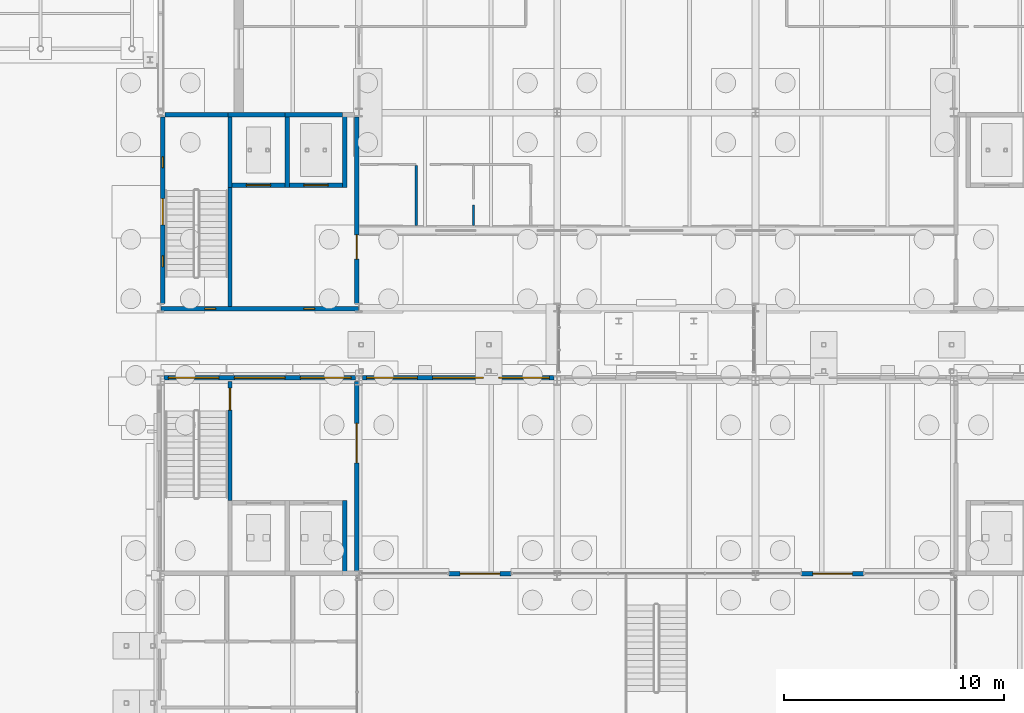
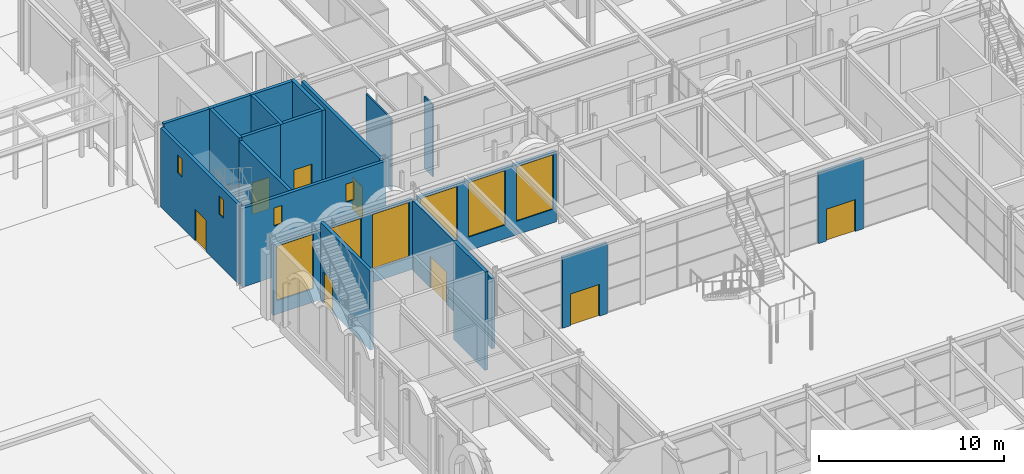
# One storey, part 77 of 126: 21 walls, 10 windows, 8 doors, 18 openings.
"""IFC4 building model written with IfcOpenShell, lengths in metres."""

from ifc_helpers import new_model, si_unit, direction, frame, frame_2d, origin, place, context, subcontext, project, spatial, rectangle, extrude, material, layer, layer_set, type_object, element, fill, save


model = new_model("IFC4")

# Units and contexts
model_context = context("Model", 3, precision=1e-05, world=origin(), true_north=direction((0.0, 1.0)))
body_context = subcontext(model_context, "Body", "Model", "MODEL_VIEW")
ifc_project = project(units=[si_unit("LENGTHUNIT", "METRE"), si_unit("AREAUNIT", "SQUARE_METRE"), si_unit("VOLUMEUNIT", "CUBIC_METRE"), si_unit("PLANEANGLEUNIT", "RADIAN"), si_unit("MASSUNIT", "GRAM", prefix="KILO")], contexts=[model_context])

# Site, building, storey
site_placement = place(None, origin())
site = spatial("IfcSite", under=ifc_project, at=site_placement, CompositionType="ELEMENT")
building_placement = place(site_placement, origin())
building = spatial("IfcBuilding", under=site, at=building_placement, Name="Kallimachos Central Library", CompositionType="ELEMENT")
storey_placement = place(building_placement, origin())
storey = spatial("IfcBuildingStorey", under=building, at=storey_placement, Name="L00", CompositionType="ELEMENT", Elevation=0.0)

# Wall, opening, door
ifc_material_1 = material(Name="Brick masonry", Category="masonry")
ifc_layer_1 = layer(ifc_material_1, 0.199951171875)
ifc_layer_set_1 = layer_set([ifc_layer_1], Name="Atrium screen wall 200")
wall_type_1 = type_object("IfcWallType", Name="Atrium screen wall 200", PredefinedType="SOLIDWALL", material=ifc_layer_set_1)
wall_1_placement = place(storey_placement, frame((78.60009765625, 75.080078125, 0.0), z_axis=(0.0, 0.0, 1.0), x_axis=(1.0, 0.0, 0.0)))
wall_1 = element("IfcWall", 1, at=wall_1_placement, inside=storey, type_object=wall_type_1, Name="L00 atrium screen wall N", PredefinedType="SOLIDWALL", context=body_context, shape_type="SweptSolid", body=[
    extrude(rectangle(XDim=2.7998046875, YDim=0.199951171875, at=frame_2d((1.39990234375, 0.0))), origin(), (0.0, 0.0, 1.0), 4.64990234375),
])
opening_1_placement = place(wall_1_placement, frame((0.5, 0.0, 0.0)))
opening_1 = element("IfcOpeningElement", 2, at=opening_1_placement, cuts=wall_1, Name="Opening D37", PredefinedType="OPENING", context=body_context, shape_type="SweptSolid", body=[
    extrude(rectangle(XDim=1.800048828125, YDim=2.10009765625, at=frame_2d((0.89990234375, 1.050048828125))), frame((0.0, 0.10986328125, 0.0), z_axis=(0.0, -1.0, 0.0), x_axis=(1.0, 0.0, 0.0)), (0.0, 0.0, 1.0), 0.219970703125),
])
ifc_material_2 = material(Name="Timber and glass", Category="wood")
door_type_1 = type_object("IfcDoorType", Name="Double leaf door 1800 x 2100, EI2 90", OperationType="DOUBLE_DOOR_SINGLE_SWING", PredefinedType="DOOR", material=ifc_material_2)
door_1_placement = place(opening_1_placement, origin())
door_1 = element("IfcDoor", 3, at=door_1_placement, inside=storey, type_object=door_type_1, Name="Atrium Door N", OperationType="DOUBLE_DOOR_SINGLE_SWING", OverallHeight=2.10009765625, OverallWidth=1.800048828125, PredefinedType="DOOR", context=body_context, shape_type="SweptSolid", body=[
    extrude(rectangle(XDim=1.800048828125, YDim=2.10009765625, at=frame_2d((0.89990234375, 1.050048828125))), frame((0.0, 0.02490234375, 0.0), z_axis=(0.0, -1.0, 0.0), x_axis=(1.0, 0.0, 0.0)), (0.0, 0.0, 1.0), 0.050048828125),
])
fill(opening_1, door_1)

wall_2_placement = place(storey_placement, frame((94.60009765625, 75.080078125, 0.0), z_axis=(0.0, 0.0, 1.0), x_axis=(1.0, 0.0, 0.0)))
wall_2 = element("IfcWall", 4, at=wall_2_placement, inside=storey, type_object=wall_type_1, Name="L00 atrium screen wall N", PredefinedType="SOLIDWALL", context=body_context, shape_type="SweptSolid", body=[
    extrude(rectangle(XDim=2.7998046875, YDim=0.199951171875, at=frame_2d((1.39990234375, 0.0))), origin(), (0.0, 0.0, 1.0), 4.64990234375),
])
opening_2_placement = place(wall_2_placement, frame((0.5, 0.0, 0.0)))
opening_2 = element("IfcOpeningElement", 5, at=opening_2_placement, cuts=wall_2, Name="Opening D38", PredefinedType="OPENING", context=body_context, shape_type="SweptSolid", body=[
    extrude(rectangle(XDim=1.800048828125, YDim=2.10009765625, at=frame_2d((0.89990234375, 1.050048828125))), frame((0.0, 0.10986328125, 0.0), z_axis=(0.0, -1.0, 0.0), x_axis=(1.0, 0.0, 0.0)), (0.0, 0.0, 1.0), 0.219970703125),
])
door_2_placement = place(opening_2_placement, origin())
door_2 = element("IfcDoor", 6, at=door_2_placement, inside=storey, type_object=door_type_1, Name="Atrium Door N", OperationType="DOUBLE_DOOR_SINGLE_SWING", OverallHeight=2.10009765625, OverallWidth=1.800048828125, PredefinedType="DOOR", context=body_context, shape_type="SweptSolid", body=[
    extrude(rectangle(XDim=1.800048828125, YDim=2.10009765625, at=frame_2d((0.89990234375, 1.050048828125))), frame((0.0, 0.02490234375, 0.0), z_axis=(0.0, -1.0, 0.0), x_axis=(1.0, 0.0, 0.0)), (0.0, 0.0, 1.0), 0.050048828125),
])
fill(opening_2, door_2)

ifc_material_3 = material(Name="Concrete C30/37", Category="concrete")
ifc_layer_2 = layer(ifc_material_3, 0.199951171875)
ifc_layer_set_2 = layer_set([ifc_layer_2], Name="Core wall 200")
wall_type_2 = type_object("IfcWallType", Name="Core wall 200", PredefinedType="SOLIDWALL", material=ifc_layer_set_2)
wall_3_placement = place(storey_placement, frame((74.39990234375, 87.33837890625, 0.0), z_axis=(0.0, 0.0, 1.0), x_axis=(0.0, 1.0, 0.0)))
wall_3 = element("IfcWall", 7, at=wall_3_placement, inside=storey, type_object=wall_type_2, Name="Core wall V1-SW E", PredefinedType="SOLIDWALL", context=body_context, shape_type="SweptSolid", body=[
    extrude(rectangle(XDim=8.47314453125, YDim=0.199951171875, at=frame_2d((4.236572265625, 0.0))), origin(), (0.0, 0.0, 1.0), 5.199951171875),
])
opening_3_placement = place(wall_3_placement, frame((2.011474609375, 0.0, 0.0)))
opening_3 = element("IfcOpeningElement", 8, at=opening_3_placement, cuts=wall_3, Name="Opening D219", PredefinedType="OPENING", context=body_context, shape_type="SweptSolid", body=[
    extrude(rectangle(XDim=1.10009765625, YDim=2.10009765625, at=frame_2d((0.550048828125, 1.050048828125))), frame((0.0, 0.10986328125, 0.0), z_axis=(0.0, -1.0, 0.0), x_axis=(1.0, 0.0, 0.0)), (0.0, 0.0, 1.0), 0.219970703125),
])
ifc_material_4 = material(Name="Steel fire door", Category="steel")
door_type_2 = type_object("IfcDoorType", Name="Fire door EI2 90 1100 x 2100", OperationType="NOTDEFINED", PredefinedType="DOOR", material=ifc_material_4)
door_3_placement = place(opening_3_placement, origin())
door_3 = element("IfcDoor", 9, at=door_3_placement, inside=storey, type_object=door_type_2, Name="V1-DOR-L00-011", OperationType="SINGLE_SWING_RIGHT", OverallHeight=2.10009765625, OverallWidth=1.10009765625, PredefinedType="DOOR", context=body_context, shape_type="SweptSolid", body=[
    extrude(rectangle(XDim=1.10009765625, YDim=2.10009765625, at=frame_2d((0.550048828125, 1.050048828125))), frame((0.0, 0.02490234375, 0.0), z_axis=(0.0, -1.0, 0.0), x_axis=(1.0, 0.0, 0.0)), (0.0, 0.0, 1.0), 0.050048828125),
])
fill(opening_3, door_3)

# Walls
wall_4_placement = place(storey_placement, frame((65.699951171875, 95.89990234375, 0.0), z_axis=(0.0, 0.0, 1.0), x_axis=(1.0, 0.0, 0.0)))
element("IfcWall", 10, at=wall_4_placement, inside=storey, type_object=wall_type_2, Name="Core wall V1-SW N", PredefinedType="SOLIDWALL", context=body_context, shape_type="SweptSolid", body=[
    extrude(rectangle(XDim=2.85009765625, YDim=0.199951171875, at=frame_2d((1.425048828125, 0.0))), origin(), (0.0, 0.0, 1.0), 5.39990234375),
])
wall_5_placement = place(storey_placement, frame((68.64990234375, 87.199951171875, 0.0), z_axis=(0.0, 0.0, 1.0), x_axis=(0.0, 1.0, 0.0)))
element("IfcWall", 11, at=wall_5_placement, inside=storey, type_object=wall_type_2, Name="Stair wall V1-SW", PredefinedType="SOLIDWALL", context=body_context, shape_type="SweptSolid", body=[
    extrude(rectangle(XDim=5.400146484375, YDim=0.199951171875, at=frame_2d((2.7001953125, 0.0))), origin(), (0.0, 0.0, 1.0), 5.199951171875),
])
ifc_material_5 = material(Name="Concrete C30/37", Category="concrete")
ifc_layer_3 = layer(ifc_material_5, 0.199951171875)
ifc_layer_set_3 = layer_set([ifc_layer_3], Name="Lift shaft wall 200")
wall_type_3 = type_object("IfcWallType", Name="Lift shaft wall 200", PredefinedType="SOLIDWALL", material=ifc_layer_set_3)
wall_6_placement = place(storey_placement, frame((73.85009765625, 75.0, -1.10009765625), z_axis=(0.0, 0.0, 1.0), x_axis=(0.0, 1.0, 0.0)))
element("IfcWall", 12, at=wall_6_placement, inside=storey, type_object=wall_type_3, Name="V4-WAL-L00-007", PredefinedType="SOLIDWALL", context=body_context, shape_type="SweptSolid", body=[
    extrude(rectangle(XDim=3.39990234375, YDim=0.199951171875, at=frame_2d((1.699951171875, 0.0))), origin(), (0.0, 0.0, 1.0), 6.5),
])
wall_7_placement = place(storey_placement, frame((68.550048828125, 95.89990234375, -1.10009765625), z_axis=(0.0, 0.0, 1.0), x_axis=(1.0, 0.0, 0.0)))
element("IfcWall", 13, at=wall_7_placement, inside=storey, type_object=wall_type_3, Name="V1-WAL-L00-001", PredefinedType="SOLIDWALL", context=body_context, shape_type="SweptSolid", body=[
    extrude(rectangle(XDim=2.599853515625, YDim=0.199951171875, at=frame_2d((1.2998046875, 0.0))), origin(), (0.0, 0.0, 1.0), 6.5),
])

# Wall, opening, door
wall_8_placement = place(storey_placement, frame((68.75, 92.699951171875, -1.10009765625), z_axis=(0.0, 0.0, 1.0), x_axis=(1.0, 0.0, 0.0)))
wall_8 = element("IfcWall", 14, at=wall_8_placement, inside=storey, type_object=wall_type_3, Name="V1-WAL-L00-002", PredefinedType="SOLIDWALL", context=body_context, shape_type="SweptSolid", body=[
    extrude(rectangle(XDim=2.39990234375, YDim=0.199951171875, at=frame_2d((1.199951171875, 0.0))), origin(), (0.0, 0.0, 1.0), 6.5),
])
opening_4_placement = place(wall_8_placement, frame((0.64990234375, 0.0, 1.10009765625)))
opening_4 = element("IfcOpeningElement", 15, at=opening_4_placement, cuts=wall_8, Name="Opening LD1100", PredefinedType="OPENING", context=body_context, shape_type="SweptSolid", body=[
    extrude(rectangle(XDim=1.10009765625, YDim=2.10009765625, at=frame_2d((0.550048828125, 1.050048828125))), frame((0.0, 0.10986328125, 0.0), z_axis=(0.0, -1.0, 0.0), x_axis=(1.0, 0.0, 0.0)), (0.0, 0.0, 1.0), 0.219970703125),
])
ifc_material_6 = material(Name="Stainless steel", Category="steel")
door_type_3 = type_object("IfcDoorType", Name="Lift landing door 1100 x 2100", OperationType="SLIDING_TO_LEFT", PredefinedType="DOOR", material=ifc_material_6)
door_4_placement = place(opening_4_placement, origin())
door_4 = element("IfcDoor", 16, at=door_4_placement, inside=storey, type_object=door_type_3, Name="LF1 landing door L00", OperationType="SLIDING_TO_LEFT", OverallHeight=2.10009765625, OverallWidth=1.10009765625, PredefinedType="DOOR", context=body_context, shape_type="SweptSolid", body=[
    extrude(rectangle(XDim=1.10009765625, YDim=2.10009765625, at=frame_2d((0.550048828125, 1.050048828125))), frame((0.0, 0.02490234375, 0.0), z_axis=(0.0, -1.0, 0.0), x_axis=(1.0, 0.0, 0.0)), (0.0, 0.0, 1.0), 0.050048828125),
])
fill(opening_4, door_4)

# Walls
for number, where, z_axis, x_axis, name in (
    (17, (68.64990234375, 92.60009765625, -1.10009765625), (0.0, 0.0, 1.0), (0.0, 1.0, 0.0), "V1-WAL-L00-003"),
    (18, (71.25, 92.60009765625, -1.10009765625), (0.0, 0.0, 1.0), (0.0, 1.0, 0.0), "V1-WAL-L00-004"),
):
    element("IfcWall", number, at=place(storey_placement, frame(where, z_axis=z_axis, x_axis=x_axis)), inside=storey, type_object=wall_type_3, Name=name, PredefinedType="SOLIDWALL", context=body_context, shape_type="SweptSolid", body=[
        extrude(rectangle(XDim=3.39990234375, YDim=0.199951171875, at=frame_2d((1.699951171875, 0.0))), origin(), (0.0, 0.0, 1.0), 6.5),
    ])
wall_9_placement = place(storey_placement, frame((71.14990234375, 95.89990234375, -1.10009765625), z_axis=(0.0, 0.0, 1.0), x_axis=(1.0, 0.0, 0.0)))
element("IfcWall", 19, at=wall_9_placement, inside=storey, type_object=wall_type_3, Name="V1-WAL-L00-005", PredefinedType="SOLIDWALL", context=body_context, shape_type="SweptSolid", body=[
    extrude(rectangle(XDim=2.60009765625, YDim=0.199951171875, at=frame_2d((1.300048828125, 0.0))), origin(), (0.0, 0.0, 1.0), 6.5),
])

# Wall, opening, door
wall_10_placement = place(storey_placement, frame((71.14990234375, 92.699951171875, -1.10009765625), z_axis=(0.0, 0.0, 1.0), x_axis=(1.0, 0.0, 0.0)))
wall_10 = element("IfcWall", 20, at=wall_10_placement, inside=storey, type_object=wall_type_3, Name="V1-WAL-L00-006", PredefinedType="SOLIDWALL", context=body_context, shape_type="SweptSolid", body=[
    extrude(rectangle(XDim=2.60009765625, YDim=0.199951171875, at=frame_2d((1.300048828125, 0.0))), origin(), (0.0, 0.0, 1.0), 6.5),
])
opening_5_placement = place(wall_10_placement, frame((0.85009765625, 0.0, 1.10009765625)))
opening_5 = element("IfcOpeningElement", 21, at=opening_5_placement, cuts=wall_10, Name="Opening LD1100", PredefinedType="OPENING", context=body_context, shape_type="SweptSolid", body=[
    extrude(rectangle(XDim=1.10009765625, YDim=2.10009765625, at=frame_2d((0.550048828125, 1.050048828125))), frame((0.0, 0.10986328125, 0.0), z_axis=(0.0, -1.0, 0.0), x_axis=(1.0, 0.0, 0.0)), (0.0, 0.0, 1.0), 0.219970703125),
])
door_5_placement = place(opening_5_placement, origin())
door_5 = element("IfcDoor", 22, at=door_5_placement, inside=storey, type_object=door_type_3, Name="LF2 landing door L00", OperationType="SLIDING_TO_LEFT", OverallHeight=2.10009765625, OverallWidth=1.10009765625, PredefinedType="DOOR", context=body_context, shape_type="SweptSolid", body=[
    extrude(rectangle(XDim=1.10009765625, YDim=2.10009765625, at=frame_2d((0.550048828125, 1.050048828125))), frame((0.0, 0.02490234375, 0.0), z_axis=(0.0, -1.0, 0.0), x_axis=(1.0, 0.0, 0.0)), (0.0, 0.0, 1.0), 0.050048828125),
])
fill(opening_5, door_5)

# Walls
wall_11_placement = place(storey_placement, frame((73.85009765625, 92.60009765625, -1.10009765625), z_axis=(0.0, 0.0, 1.0), x_axis=(0.0, 1.0, 0.0)))
element("IfcWall", 23, at=wall_11_placement, inside=storey, type_object=wall_type_3, Name="V1-WAL-L00-007", PredefinedType="SOLIDWALL", context=body_context, shape_type="SweptSolid", body=[
    extrude(rectangle(XDim=3.39990234375, YDim=0.199951171875, at=frame_2d((1.699951171875, 0.0))), origin(), (0.0, 0.0, 1.0), 6.5),
])
ifc_material_7 = material(Name="Plasterboard on steel studs", Category="steel")
ifc_layer_4 = layer(ifc_material_7, 0.10009765625)
ifc_layer_set_4 = layer_set([ifc_layer_4], Name="Partition 100")
wall_type_4 = type_object("IfcWallType", Name="Partition 100", PredefinedType="PARTITIONING", material=ifc_layer_set_4)
wall_12_placement = place(storey_placement, frame((77.10009765625, 93.60009765625, 0.0), z_axis=(0.0, 0.0, 1.0), x_axis=(0.0, -1.0, 0.0)))
element("IfcWall", 24, at=wall_12_placement, inside=storey, type_object=wall_type_4, Name="Partition", PredefinedType="PARTITIONING", context=body_context, shape_type="SweptSolid", body=[
    extrude(rectangle(XDim=2.72509765625, YDim=0.10009765625, at=frame_2d((1.362548828125, 0.0))), origin(), (0.0, 0.0, 1.0), 4.760009765625),
])
wall_13_placement = place(storey_placement, frame((79.699951171875, 91.7998046875, 0.0), z_axis=(0.0, 0.0, 1.0), x_axis=(0.0, -1.0, 0.0)))
element("IfcWall", 25, at=wall_13_placement, inside=storey, type_object=wall_type_4, Name="Partition", PredefinedType="PARTITIONING", context=body_context, shape_type="SweptSolid", body=[
    extrude(rectangle(XDim=0.9248046875, YDim=0.10009765625, at=frame_2d((0.46240234375, 0.0))), origin(), (0.0, 0.0, 1.0), 4.760009765625),
])

# Wall, opening, door
ifc_material_8 = material(Name="Concrete C35/45", Category="concrete")
ifc_layer_5 = layer(ifc_material_8, 0.199951171875)
ifc_layer_set_5 = layer_set([ifc_layer_5], Name="Shear core wall 200, internal")
wall_type_5 = type_object("IfcWallType", Name="Shear core wall 200, internal", PredefinedType="SHEAR", material=ifc_layer_set_5)
wall_14_placement = place(storey_placement, frame((74.39990234375, 75.199951171875, 0.0), z_axis=(0.0, 0.0, 1.0), x_axis=(0.0, 1.0, 0.0)))
wall_14 = element("IfcWall", 26, at=wall_14_placement, inside=storey, type_object=wall_type_5, Name="L00 core wall V4-NW E", PredefinedType="SHEAR", context=body_context, shape_type="SweptSolid", body=[
    extrude(rectangle(XDim=8.60009765625, YDim=0.199951171875, at=frame_2d((4.300048828125, 0.0))), origin(), (0.0, 0.0, 1.0), 4.64990234375),
])
opening_6_placement = place(wall_14_placement, frame((4.89990234375, 0.0, 0.0)))
opening_6 = element("IfcOpeningElement", 27, at=opening_6_placement, cuts=wall_14, Name="Opening D146", PredefinedType="OPENING", context=body_context, shape_type="SweptSolid", body=[
    extrude(rectangle(XDim=1.800048828125, YDim=2.10009765625, at=frame_2d((0.89990234375, 1.050048828125))), frame((0.0, 0.10986328125, 0.0), z_axis=(0.0, -1.0, 0.0), x_axis=(1.0, 0.0, 0.0)), (0.0, 0.0, 1.0), 0.219970703125),
])
door_6_placement = place(opening_6_placement, origin())
door_6 = element("IfcDoor", 28, at=door_6_placement, inside=storey, type_object=door_type_1, Name="L00 core door V4-NW", OperationType="DOUBLE_DOOR_SINGLE_SWING", OverallHeight=2.10009765625, OverallWidth=1.800048828125, PredefinedType="DOOR", context=body_context, shape_type="SweptSolid", body=[
    extrude(rectangle(XDim=1.800048828125, YDim=2.10009765625, at=frame_2d((0.89990234375, 1.050048828125))), frame((0.0, 0.02490234375, 0.0), z_axis=(0.0, -1.0, 0.0), x_axis=(1.0, 0.0, 0.0)), (0.0, 0.0, 1.0), 0.050048828125),
])
fill(opening_6, door_6)

wall_15_placement = place(storey_placement, frame((68.64990234375, 78.39990234375, 0.0), z_axis=(0.0, 0.0, 1.0), x_axis=(0.0, 1.0, 0.0)))
wall_15 = element("IfcWall", 29, at=wall_15_placement, inside=storey, type_object=wall_type_5, Name="L00 core wall V4-NW M", PredefinedType="SHEAR", context=body_context, shape_type="SweptSolid", body=[
    extrude(rectangle(XDim=5.400146484375, YDim=0.199951171875, at=frame_2d((2.7001953125, 0.0))), origin(), (0.0, 0.0, 1.0), 5.199951171875),
])
opening_7_placement = place(wall_15_placement, frame((4.10009765625, 0.0, 0.0)))
opening_7 = element("IfcOpeningElement", 30, at=opening_7_placement, cuts=wall_15, Name="Opening D151", PredefinedType="OPENING", context=body_context, shape_type="SweptSolid", body=[
    extrude(rectangle(XDim=1.0, YDim=2.10009765625, at=frame_2d((0.5, 1.050048828125))), frame((0.0, 0.10986328125, 0.0), z_axis=(0.0, -1.0, 0.0), x_axis=(1.0, 0.0, 0.0)), (0.0, 0.0, 1.0), 0.219970703125),
])
ifc_material_9 = material(Name="Timber", Category="wood")
door_type_4 = type_object("IfcDoorType", Name="Single leaf door 1000 x 2100, EI2 90", OperationType="NOTDEFINED", PredefinedType="DOOR", material=ifc_material_9)
door_7_placement = place(opening_7_placement, origin())
door_7 = element("IfcDoor", 31, at=door_7_placement, inside=storey, type_object=door_type_4, Name="L00 core door V4-NW", OperationType="SINGLE_SWING_RIGHT", OverallHeight=2.10009765625, OverallWidth=1.0, PredefinedType="DOOR", context=body_context, shape_type="SweptSolid", body=[
    extrude(rectangle(XDim=1.0, YDim=2.10009765625, at=frame_2d((0.5, 1.050048828125))), frame((0.0, 0.02490234375, 0.0), z_axis=(0.0, -1.0, 0.0), x_axis=(1.0, 0.0, 0.0)), (0.0, 0.0, 1.0), 0.050048828125),
])
fill(opening_7, door_7)

# Wall, openings, door, windows
ifc_material_10 = material(Name="Concrete C30/37", Category="concrete")
ifc_layer_6 = layer(ifc_material_10, 0.199951171875)
ifc_layer_set_6 = layer_set([ifc_layer_6], Name="Stone-clad core wall 200")
wall_type_6 = type_object("IfcWallType", Name="Stone-clad core wall 200", PredefinedType="SOLIDWALL", material=ifc_layer_set_6)
wall_16_placement = place(storey_placement, frame((65.60009765625, 87.33837890625, 0.0), z_axis=(0.0, 0.0, 1.0), x_axis=(0.0, 1.0, 0.0)))
wall_16 = element("IfcWall", 32, at=wall_16_placement, inside=storey, type_object=wall_type_6, Name="Core wall V1-SW W", PredefinedType="SOLIDWALL", context=body_context, shape_type="SweptSolid", body=[
    extrude(rectangle(XDim=8.47314453125, YDim=0.199951171875, at=frame_2d((4.236572265625, 0.0))), origin(), (0.0, 0.0, 1.0), 5.199951171875),
])
opening_8_placement = place(wall_16_placement, frame((1.66162109375, 0.0, 3.35009765625)))
opening_8 = element("IfcOpeningElement", 33, at=opening_8_placement, cuts=wall_16, Name="Opening W92", PredefinedType="OPENING", context=body_context, shape_type="SweptSolid", body=[
    extrude(rectangle(XDim=0.5, YDim=1.199951171875, at=frame_2d((0.25, 0.60009765625))), frame((0.0, 0.10986328125, 0.0), z_axis=(0.0, -1.0, 0.0), x_axis=(1.0, 0.0, 0.0)), (0.0, 0.0, 1.0), 0.219970703125),
])
opening_9_placement = place(wall_16_placement, frame((6.16162109375, 0.0, 3.35009765625)))
opening_9 = element("IfcOpeningElement", 34, at=opening_9_placement, cuts=wall_16, Name="Opening W93", PredefinedType="OPENING", context=body_context, shape_type="SweptSolid", body=[
    extrude(rectangle(XDim=0.5, YDim=1.199951171875, at=frame_2d((0.25, 0.60009765625))), frame((0.0, 0.10986328125, 0.0), z_axis=(0.0, -1.0, 0.0), x_axis=(1.0, 0.0, 0.0)), (0.0, 0.0, 1.0), 0.219970703125),
])
opening_10_placement = place(wall_16_placement, frame((3.5615234375, 0.0, 0.0)))
opening_10 = element("IfcOpeningElement", 35, at=opening_10_placement, cuts=wall_16, Name="Opening D220", PredefinedType="OPENING", context=body_context, shape_type="SweptSolid", body=[
    extrude(rectangle(XDim=1.199951171875, YDim=2.10009765625, at=frame_2d((0.60009765625, 1.050048828125))), frame((0.0, 0.10986328125, 0.0), z_axis=(0.0, -1.0, 0.0), x_axis=(1.0, 0.0, 0.0)), (0.0, 0.0, 1.0), 0.219970703125),
])
ifc_material_11 = material(Name="Steel fire door leaf", Category="steel")
door_type_5 = type_object("IfcDoorType", Name="Exit door EI2 90 1200 x 2100", OperationType="NOTDEFINED", PredefinedType="DOOR", material=ifc_material_11)
door_8_placement = place(opening_10_placement, origin())
door_8 = element("IfcDoor", 36, at=door_8_placement, inside=storey, type_object=door_type_5, Name="Exit Door", OperationType="SINGLE_SWING_RIGHT", OverallHeight=2.10009765625, OverallWidth=1.199951171875, PredefinedType="DOOR", context=body_context, shape_type="SweptSolid", body=[
    extrude(rectangle(XDim=1.199951171875, YDim=2.10009765625, at=frame_2d((0.60009765625, 1.050048828125))), frame((0.0, 0.02490234375, 0.0), z_axis=(0.0, -1.0, 0.0), x_axis=(1.0, 0.0, 0.0)), (0.0, 0.0, 1.0), 0.050048828125),
])
fill(opening_10, door_8)
ifc_material_12 = material(Name="Laminated glass in bronze-anodised aluminium frame", Category="aluminium")
window_type_1 = type_object("IfcWindowType", Name="Stair slot window 500x1200", PartitioningType="SINGLE_PANEL", PredefinedType="WINDOW", material=ifc_material_12)
window_1_placement = place(opening_8_placement, origin())
window_1 = element("IfcWindow", 37, at=window_1_placement, inside=storey, type_object=window_type_1, Name="V1-WIN-L00-013", OverallHeight=1.199951171875, OverallWidth=0.5, PartitioningType="SINGLE_PANEL", PredefinedType="WINDOW", context=body_context, shape_type="SweptSolid", body=[
    extrude(rectangle(XDim=0.5, YDim=1.199951171875, at=frame_2d((0.25, 0.60009765625))), frame((0.0, 0.030029296875, 0.0), z_axis=(0.0, -1.0, 0.0), x_axis=(1.0, 0.0, 0.0)), (0.0, 0.0, 1.0), 0.06005859375),
])
fill(opening_8, window_1)
window_2_placement = place(opening_9_placement, origin())
window_2 = element("IfcWindow", 38, at=window_2_placement, inside=storey, type_object=window_type_1, Name="V1-WIN-L00-014", OverallHeight=1.199951171875, OverallWidth=0.5, PartitioningType="SINGLE_PANEL", PredefinedType="WINDOW", context=body_context, shape_type="SweptSolid", body=[
    extrude(rectangle(XDim=0.5, YDim=1.199951171875, at=frame_2d((0.25, 0.60009765625))), frame((0.0, 0.030029296875, 0.0), z_axis=(0.0, -1.0, 0.0), x_axis=(1.0, 0.0, 0.0)), (0.0, 0.0, 1.0), 0.06005859375),
])
fill(opening_9, window_2)

# Wall, openings, windows
wall_17_placement = place(storey_placement, frame((65.510986328125, 87.10009765625, 0.0), z_axis=(0.0, 0.0, 1.0), x_axis=(1.0, 0.0, 0.0)))
wall_17 = element("IfcWall", 39, at=wall_17_placement, inside=storey, type_object=wall_type_6, Name="Core wall V1-SW S", PredefinedType="SOLIDWALL", context=body_context, shape_type="SweptSolid", body=[
    extrude(rectangle(XDim=8.97802734375, YDim=0.199951171875, at=frame_2d((4.489013671875, 0.0))), origin(), (0.0, 0.0, 1.0), 5.199951171875),
])
opening_11_placement = place(wall_17_placement, frame((1.989013671875, 0.0, 3.35009765625)))
opening_11 = element("IfcOpeningElement", 40, at=opening_11_placement, cuts=wall_17, Name="Opening W94", PredefinedType="OPENING", context=body_context, shape_type="SweptSolid", body=[
    extrude(rectangle(XDim=0.5, YDim=1.199951171875, at=frame_2d((0.25, 0.60009765625))), frame((0.0, 0.10986328125, 0.0), z_axis=(0.0, -1.0, 0.0), x_axis=(1.0, 0.0, 0.0)), (0.0, 0.0, 1.0), 0.219970703125),
])
opening_12_placement = place(wall_17_placement, frame((6.489013671875, 0.0, 3.35009765625)))
opening_12 = element("IfcOpeningElement", 41, at=opening_12_placement, cuts=wall_17, Name="Opening W95", PredefinedType="OPENING", context=body_context, shape_type="SweptSolid", body=[
    extrude(rectangle(XDim=0.5, YDim=1.199951171875, at=frame_2d((0.25, 0.60009765625))), frame((0.0, 0.10986328125, 0.0), z_axis=(0.0, -1.0, 0.0), x_axis=(1.0, 0.0, 0.0)), (0.0, 0.0, 1.0), 0.219970703125),
])
window_3_placement = place(opening_11_placement, origin())
window_3 = element("IfcWindow", 42, at=window_3_placement, inside=storey, type_object=window_type_1, Name="V1-WIN-L00-015", OverallHeight=1.199951171875, OverallWidth=0.5, PartitioningType="SINGLE_PANEL", PredefinedType="WINDOW", context=body_context, shape_type="SweptSolid", body=[
    extrude(rectangle(XDim=0.5, YDim=1.199951171875, at=frame_2d((0.25, 0.60009765625))), frame((0.0, 0.030029296875, 0.0), z_axis=(0.0, -1.0, 0.0), x_axis=(1.0, 0.0, 0.0)), (0.0, 0.0, 1.0), 0.06005859375),
])
fill(opening_11, window_3)
window_4_placement = place(opening_12_placement, origin())
window_4 = element("IfcWindow", 43, at=window_4_placement, inside=storey, type_object=window_type_1, Name="V1-WIN-L00-016", OverallHeight=1.199951171875, OverallWidth=0.5, PartitioningType="SINGLE_PANEL", PredefinedType="WINDOW", context=body_context, shape_type="SweptSolid", body=[
    extrude(rectangle(XDim=0.5, YDim=1.199951171875, at=frame_2d((0.25, 0.60009765625))), frame((0.0, 0.030029296875, 0.0), z_axis=(0.0, -1.0, 0.0), x_axis=(1.0, 0.0, 0.0)), (0.0, 0.0, 1.0), 0.06005859375),
])
fill(opening_12, window_4)

ifc_material_13 = material(Name="Brick masonry with Pentelic marble cladding", Category="masonry")
ifc_layer_7 = layer(ifc_material_13, 0.199951171875)
ifc_layer_set_7 = layer_set([ifc_layer_7], Name="Stone-clad masonry wall 200")
wall_type_7 = type_object("IfcWallType", Name="Stone-clad masonry wall 200", PredefinedType="SOLIDWALL", material=ifc_layer_set_7)
wall_18_placement = place(storey_placement, frame((74.653564453125, 83.966064453125, 0.0), z_axis=(0.0, 0.0, 1.0), x_axis=(1.0, 0.0, 0.0)))
wall_18 = element("IfcWall", 44, at=wall_18_placement, inside=storey, type_object=wall_type_7, Name="V4-WAL-L00-021", PredefinedType="SOLIDWALL", context=body_context, shape_type="SweptSolid", body=[
    extrude(rectangle(XDim=8.69287109375, YDim=0.199951171875, at=frame_2d((4.346435546875, 0.0))), origin(), (0.0, 0.0, 1.0), 4.64990234375),
])
opening_13_placement = place(wall_18_placement, frame((0.196533203125, 0.0, 0.89990234375)))
opening_13 = element("IfcOpeningElement", 45, at=opening_13_placement, cuts=wall_18, Name="Opening WN160", PredefinedType="OPENING", context=body_context, shape_type="SweptSolid", body=[
    extrude(rectangle(XDim=2.300048828125, YDim=3.60009765625, at=frame_2d((1.14990234375, 1.800048828125))), frame((0.0, 0.10986328125, 0.0), z_axis=(0.0, -1.0, 0.0), x_axis=(1.0, 0.0, 0.0)), (0.0, 0.0, 1.0), 0.219970703125),
])
opening_14_placement = place(wall_18_placement, frame((3.196533203125, 0.0, 0.89990234375)))
opening_14 = element("IfcOpeningElement", 46, at=opening_14_placement, cuts=wall_18, Name="Opening WN160", PredefinedType="OPENING", context=body_context, shape_type="SweptSolid", body=[
    extrude(rectangle(XDim=2.300048828125, YDim=3.60009765625, at=frame_2d((1.14990234375, 1.800048828125))), frame((0.0, 0.10986328125, 0.0), z_axis=(0.0, -1.0, 0.0), x_axis=(1.0, 0.0, 0.0)), (0.0, 0.0, 1.0), 0.219970703125),
])
opening_15_placement = place(wall_18_placement, frame((6.196533203125, 0.0, 0.89990234375)))
opening_15 = element("IfcOpeningElement", 47, at=opening_15_placement, cuts=wall_18, Name="Opening WN160", PredefinedType="OPENING", context=body_context, shape_type="SweptSolid", body=[
    extrude(rectangle(XDim=2.300048828125, YDim=3.60009765625, at=frame_2d((1.14990234375, 1.800048828125))), frame((0.0, 0.10986328125, 0.0), z_axis=(0.0, -1.0, 0.0), x_axis=(1.0, 0.0, 0.0)), (0.0, 0.0, 1.0), 0.219970703125),
])
ifc_material_14 = material(Name="Anodised aluminium and laminated glass", Category="aluminium")
window_type_2 = type_object("IfcWindowType", Name="Window 2300 x 3600", PartitioningType="DOUBLE_PANEL_VERTICAL", PredefinedType="WINDOW", material=ifc_material_14)
window_5_placement = place(opening_13_placement, origin())
window_5 = element("IfcWindow", 48, at=window_5_placement, inside=storey, type_object=window_type_2, Name="V4-WIN-L00-016", OverallHeight=3.60009765625, OverallWidth=2.300048828125, PartitioningType="SINGLE_PANEL", PredefinedType="WINDOW", context=body_context, shape_type="SweptSolid", body=[
    extrude(rectangle(XDim=2.300048828125, YDim=3.60009765625, at=frame_2d((1.14990234375, 1.800048828125))), frame((0.0, 0.030029296875, 0.0), z_axis=(0.0, -1.0, 0.0), x_axis=(1.0, 0.0, 0.0)), (0.0, 0.0, 1.0), 0.06005859375),
])
fill(opening_13, window_5)
window_6_placement = place(opening_14_placement, origin())
window_6 = element("IfcWindow", 49, at=window_6_placement, inside=storey, type_object=window_type_2, Name="V4-WIN-L00-017", OverallHeight=3.60009765625, OverallWidth=2.300048828125, PartitioningType="SINGLE_PANEL", PredefinedType="WINDOW", context=body_context, shape_type="SweptSolid", body=[
    extrude(rectangle(XDim=2.300048828125, YDim=3.60009765625, at=frame_2d((1.14990234375, 1.800048828125))), frame((0.0, 0.030029296875, 0.0), z_axis=(0.0, -1.0, 0.0), x_axis=(1.0, 0.0, 0.0)), (0.0, 0.0, 1.0), 0.06005859375),
])
fill(opening_14, window_6)
window_7_placement = place(opening_15_placement, origin())
window_7 = element("IfcWindow", 50, at=window_7_placement, inside=storey, type_object=window_type_2, Name="V4-WIN-L00-018", OverallHeight=3.60009765625, OverallWidth=2.300048828125, PartitioningType="SINGLE_PANEL", PredefinedType="WINDOW", context=body_context, shape_type="SweptSolid", body=[
    extrude(rectangle(XDim=2.300048828125, YDim=3.60009765625, at=frame_2d((1.14990234375, 1.800048828125))), frame((0.0, 0.030029296875, 0.0), z_axis=(0.0, -1.0, 0.0), x_axis=(1.0, 0.0, 0.0)), (0.0, 0.0, 1.0), 0.06005859375),
])
fill(opening_15, window_7)

ifc_material_15 = material(Name="Brick masonry with Pentelic marble cladding", Category="masonry")
ifc_layer_8 = layer(ifc_material_15, 0.199951171875)
ifc_layer_set_8 = layer_set([ifc_layer_8], Name="Stone-clad masonry wall 200, EI 120")
wall_type_8 = type_object("IfcWallType", Name="Stone-clad masonry wall 200, EI 120", PredefinedType="SOLIDWALL", material=ifc_layer_set_8)
wall_19_placement = place(storey_placement, frame((65.653564453125, 83.966064453125, 0.0), z_axis=(0.0, 0.0, 1.0), x_axis=(1.0, 0.0, 0.0)))
wall_19 = element("IfcWall", 51, at=wall_19_placement, inside=storey, type_object=wall_type_8, Name="V4-WAL-L00-020", PredefinedType="SOLIDWALL", context=body_context, shape_type="SweptSolid", body=[
    extrude(rectangle(XDim=8.69287109375, YDim=0.199951171875, at=frame_2d((4.346435546875, 0.0))), origin(), (0.0, 0.0, 1.0), 4.64990234375),
])
opening_16_placement = place(wall_19_placement, frame((0.196533203125, 0.0, 0.89990234375)))
opening_16 = element("IfcOpeningElement", 52, at=opening_16_placement, cuts=wall_19, Name="Opening WN267", PredefinedType="OPENING", context=body_context, shape_type="SweptSolid", body=[
    extrude(rectangle(XDim=2.300048828125, YDim=3.60009765625, at=frame_2d((1.14990234375, 1.800048828125))), frame((0.0, 0.10986328125, 0.0), z_axis=(0.0, -1.0, 0.0), x_axis=(1.0, 0.0, 0.0)), (0.0, 0.0, 1.0), 0.219970703125),
])
opening_17_placement = place(wall_19_placement, frame((3.196533203125, 0.0, 0.89990234375)))
opening_17 = element("IfcOpeningElement", 53, at=opening_17_placement, cuts=wall_19, Name="Opening WN267", PredefinedType="OPENING", context=body_context, shape_type="SweptSolid", body=[
    extrude(rectangle(XDim=2.300048828125, YDim=3.60009765625, at=frame_2d((1.14990234375, 1.800048828125))), frame((0.0, 0.10986328125, 0.0), z_axis=(0.0, -1.0, 0.0), x_axis=(1.0, 0.0, 0.0)), (0.0, 0.0, 1.0), 0.219970703125),
])
opening_18_placement = place(wall_19_placement, frame((6.196533203125, 0.0, 0.89990234375)))
opening_18 = element("IfcOpeningElement", 54, at=opening_18_placement, cuts=wall_19, Name="Opening WN267", PredefinedType="OPENING", context=body_context, shape_type="SweptSolid", body=[
    extrude(rectangle(XDim=2.300048828125, YDim=3.60009765625, at=frame_2d((1.14990234375, 1.800048828125))), frame((0.0, 0.10986328125, 0.0), z_axis=(0.0, -1.0, 0.0), x_axis=(1.0, 0.0, 0.0)), (0.0, 0.0, 1.0), 0.219970703125),
])
ifc_material_16 = material(Name="Anodised aluminium and laminated glass", Category="aluminium")
window_type_3 = type_object("IfcWindowType", Name="Window 2300 x 3600, EI 120", PartitioningType="DOUBLE_PANEL_VERTICAL", PredefinedType="WINDOW", material=ifc_material_16)
window_8_placement = place(opening_16_placement, origin())
window_8 = element("IfcWindow", 55, at=window_8_placement, inside=storey, type_object=window_type_3, Name="V4-WIN-L00-013", OverallHeight=3.60009765625, OverallWidth=2.300048828125, PartitioningType="SINGLE_PANEL", PredefinedType="WINDOW", context=body_context, shape_type="SweptSolid", body=[
    extrude(rectangle(XDim=2.300048828125, YDim=3.60009765625, at=frame_2d((1.14990234375, 1.800048828125))), frame((0.0, 0.030029296875, 0.0), z_axis=(0.0, -1.0, 0.0), x_axis=(1.0, 0.0, 0.0)), (0.0, 0.0, 1.0), 0.06005859375),
])
fill(opening_16, window_8)
window_9_placement = place(opening_17_placement, origin())
window_9 = element("IfcWindow", 56, at=window_9_placement, inside=storey, type_object=window_type_3, Name="V4-WIN-L00-014", OverallHeight=3.60009765625, OverallWidth=2.300048828125, PartitioningType="SINGLE_PANEL", PredefinedType="WINDOW", context=body_context, shape_type="SweptSolid", body=[
    extrude(rectangle(XDim=2.300048828125, YDim=3.60009765625, at=frame_2d((1.14990234375, 1.800048828125))), frame((0.0, 0.030029296875, 0.0), z_axis=(0.0, -1.0, 0.0), x_axis=(1.0, 0.0, 0.0)), (0.0, 0.0, 1.0), 0.06005859375),
])
fill(opening_17, window_9)
window_10_placement = place(opening_18_placement, origin())
window_10 = element("IfcWindow", 57, at=window_10_placement, inside=storey, type_object=window_type_3, Name="V4-WIN-L00-015", OverallHeight=3.60009765625, OverallWidth=2.300048828125, PartitioningType="SINGLE_PANEL", PredefinedType="WINDOW", context=body_context, shape_type="SweptSolid", body=[
    extrude(rectangle(XDim=2.300048828125, YDim=3.60009765625, at=frame_2d((1.14990234375, 1.800048828125))), frame((0.0, 0.030029296875, 0.0), z_axis=(0.0, -1.0, 0.0), x_axis=(1.0, 0.0, 0.0)), (0.0, 0.0, 1.0), 0.06005859375),
])
fill(opening_18, window_10)

save(model, "model.ifc")
